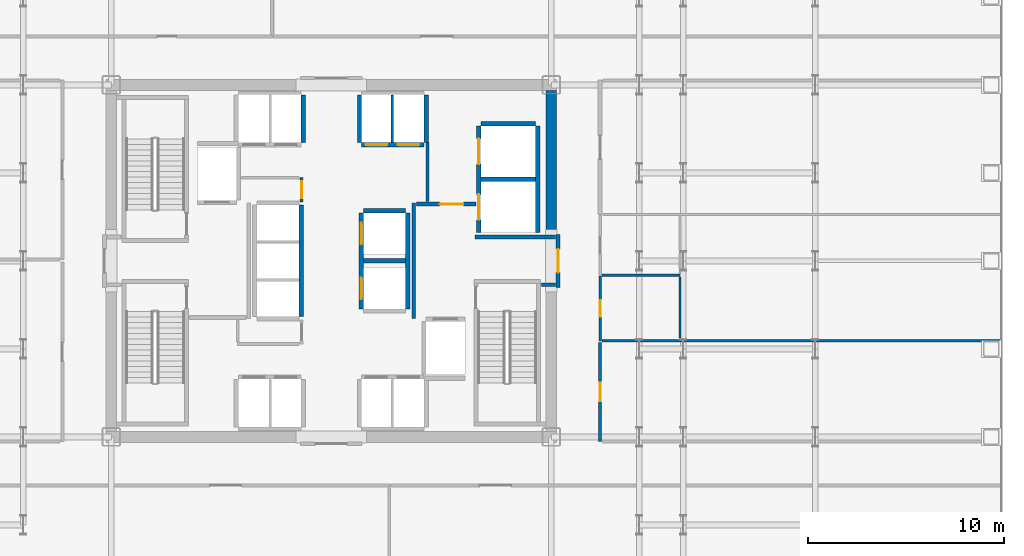
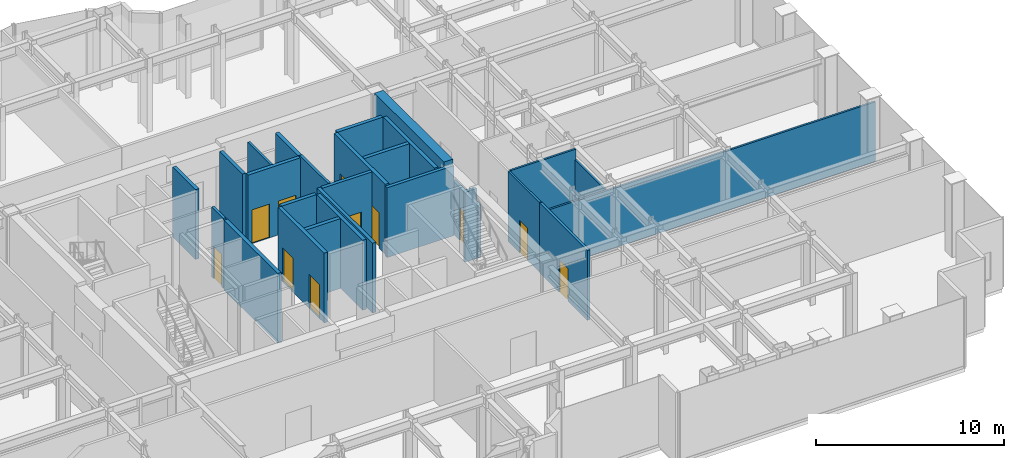
# One storey, part 22 of 27: 27 walls, 11 doors, 11 openings.
"""IFC4 building model written with IfcOpenShell, lengths in metres."""

from ifc_helpers import new_model, si_unit, direction, frame, frame_2d, origin, place, context, subcontext, project, spatial, rectangle, extrude, source, transform, mapped, material, layer, layer_set, type_object, element, fill, save


model = new_model("IFC4")

# Units and contexts
model_context = context("Model", 3, precision=1e-05, world=origin(), true_north=direction((0.0, 1.0)))
body_context = subcontext(model_context, "Body", "Model", "MODEL_VIEW")
ifc_project = project(units=[si_unit("LENGTHUNIT", "METRE"), si_unit("AREAUNIT", "SQUARE_METRE"), si_unit("VOLUMEUNIT", "CUBIC_METRE"), si_unit("PLANEANGLEUNIT", "RADIAN"), si_unit("MASSUNIT", "GRAM", prefix="KILO")], contexts=[model_context])

# Site, building, storey
site_placement = place(None, origin())
site = spatial("IfcSite", under=ifc_project, at=site_placement, CompositionType="ELEMENT")
building_placement = place(site_placement, origin())
building = spatial("IfcBuilding", under=site, at=building_placement, Name="Nefas-Gora Pilgrimage Tower", CompositionType="ELEMENT")
storey_placement = place(building_placement, frame((0.0, 0.0, 144.0)))
storey = spatial("IfcBuildingStorey", under=building, at=storey_placement, Name="L35", CompositionType="ELEMENT", Elevation=144.0)

# Wall
ifc_material_1 = material(Name="Concrete C60/75", Category="concrete")
ifc_layer_1 = layer(ifc_material_1, 0.550048828125)
ifc_layer_set_1 = layer_set([ifc_layer_1], Name="Concrete C60/75")
wall_type_1 = type_object("IfcWallType", Name="SW-CORE-550", PredefinedType="SHEAR", material=ifc_layer_set_1)
shared_shape_1 = source(origin(), body_context, "Body", "SweptSolid", [
    extrude(rectangle(XDim=7.375, YDim=0.550048828125, at=frame_2d((3.6875, 0.0))), origin(), (0.0, 0.0, 1.0), 4.800048828125),
])
wall_1_placement = place(storey_placement, frame((11.25, 1.35009765625, 0.0), z_axis=(0.0, 0.0, 1.0), x_axis=(0.0, 1.0, 0.0)))
element("IfcWall", 1, at=wall_1_placement, inside=storey, type_object=wall_type_1, Name="L35 Core Shear Wall E-North", PredefinedType="SHEAR", context=body_context, shape_type="MappedRepresentation", body=[
    mapped(shared_shape_1, transform((0.0, 0.0, 0.0), x_axis=(1.0, 0.0, 0.0), y_axis=(0.0, 1.0, 0.0), z_axis=(0.0, 0.0, 1.0), scale=1.0)),
])

# Wall, openings, doors
ifc_material_2 = material(Name="Concrete C40/50", Category="concrete")
ifc_layer_2 = layer(ifc_material_2, 0.219970703125)
ifc_layer_set_2 = layer_set([ifc_layer_2], Name="Concrete C40/50")
wall_type_2 = type_object("IfcWallType", Name="IW-SHAFT-220", PredefinedType="SOLIDWALL", material=ifc_layer_set_2)
shared_shape_2 = source(origin(), body_context, "Body", "SweptSolid", [
    extrude(rectangle(XDim=5.449951171875, YDim=0.219970703125, at=frame_2d((2.72509765625, 0.0))), origin(), (0.0, 0.0, 1.0), 4.534912109375),
])
wall_2_placement = place(storey_placement, frame((7.5400390625, 6.89990234375, 0.0), z_axis=(0.0, 0.0, 1.0), x_axis=(0.0, -1.0, 0.0)))
wall_2 = element("IfcWall", 2, at=wall_2_placement, inside=storey, type_object=wall_type_2, Name="L35 Hoistway Wall SL-01-02-W", PredefinedType="SOLIDWALL", context=body_context, shape_type="MappedRepresentation", body=[
    mapped(shared_shape_2, transform((0.0, 0.0, 0.0), x_axis=(1.0, 0.0, 0.0), y_axis=(0.0, 1.0, 0.0), z_axis=(0.0, 0.0, 1.0), scale=1.0)),
])
opening_1_placement = place(wall_2_placement, frame((3.5, 0.0, 0.0)))
opening_1 = element("IfcOpeningElement", 3, at=opening_1_placement, cuts=wall_2, Name="Opening LD-SV", PredefinedType="OPENING", context=body_context, shape_type="SweptSolid", body=[
    extrude(rectangle(XDim=1.300048828125, YDim=2.300048828125, at=frame_2d((0.64990234375, 1.14990234375))), frame((0.0, 0.119873046875, 0.0), z_axis=(0.0, -1.0, 0.0), x_axis=(1.0, 0.0, 0.0)), (0.0, 0.0, 1.0), 0.239990234375),
])
opening_2_placement = place(wall_2_placement, frame((0.64990234375, 0.0, 0.0)))
opening_2 = element("IfcOpeningElement", 4, at=opening_2_placement, cuts=wall_2, Name="Opening LD-SV", PredefinedType="OPENING", context=body_context, shape_type="SweptSolid", body=[
    extrude(rectangle(XDim=1.300048828125, YDim=2.300048828125, at=frame_2d((0.64990234375, 1.14990234375))), frame((0.0, 0.119873046875, 0.0), z_axis=(0.0, -1.0, 0.0), x_axis=(1.0, 0.0, 0.0)), (0.0, 0.0, 1.0), 0.239990234375),
])
ifc_material_3 = material(Name="Heavy goods sliding lift landing door")
door_type_1 = type_object("IfcDoorType", Name="DR-LIFT-SERV-1300", OperationType="SLIDING_TO_RIGHT", PredefinedType="DOOR", material=ifc_material_3)
shared_shape_3 = source(origin(), body_context, "Body", "SweptSolid", [
    extrude(rectangle(XDim=1.300048828125, YDim=2.300048828125, at=frame_2d((0.64990234375, 1.14990234375))), frame((0.0, 0.02490234375, 0.0), z_axis=(0.0, -1.0, 0.0), x_axis=(1.0, 0.0, 0.0)), (0.0, 0.0, 1.0), 0.050048828125),
])
door_1_placement = place(opening_1_placement, origin())
door_1 = element("IfcDoor", 5, at=door_1_placement, inside=storey, type_object=door_type_1, Name="L35 Sliding Lift Landing Door SL-01", OperationType="SLIDING_TO_RIGHT", OverallHeight=2.300048828125, OverallWidth=1.300048828125, PredefinedType="DOOR", context=body_context, shape_type="MappedRepresentation", body=[
    mapped(shared_shape_3, transform((0.0, 0.0, 0.0), x_axis=(1.0, 0.0, 0.0), y_axis=(0.0, 1.0, 0.0), z_axis=(0.0, 0.0, 1.0), scale=1.0)),
])
fill(opening_1, door_1)
door_2_placement = place(opening_2_placement, origin())
door_2 = element("IfcDoor", 6, at=door_2_placement, inside=storey, type_object=door_type_1, Name="L35 Sliding Lift Landing Door SL-02", OperationType="SLIDING_TO_RIGHT", OverallHeight=2.300048828125, OverallWidth=1.300048828125, PredefinedType="DOOR", context=body_context, shape_type="MappedRepresentation", body=[
    mapped(shared_shape_3, transform((0.0, 0.0, 0.0), x_axis=(1.0, 0.0, 0.0), y_axis=(0.0, 1.0, 0.0), z_axis=(0.0, 0.0, 1.0), scale=1.0)),
])
fill(opening_2, door_2)

# Walls
wall_3_placement = place(storey_placement, frame((10.56005859375, 1.449951171875, 0.0), z_axis=(0.0, 0.0, 1.0), x_axis=(0.0, 1.0, 0.0)))
element("IfcWall", 7, at=wall_3_placement, inside=storey, type_object=wall_type_2, Name="L35 Hoistway Wall SL-01-02-E", PredefinedType="SOLIDWALL", context=body_context, shape_type="MappedRepresentation", body=[
    mapped(shared_shape_2, transform((0.0, 0.0, 0.0), x_axis=(1.0, 0.0, 0.0), y_axis=(0.0, 1.0, 0.0), z_axis=(0.0, 0.0, 1.0), scale=1.0)),
])
shared_shape_4 = source(origin(), body_context, "Body", "SweptSolid", [
    extrude(rectangle(XDim=2.780029296875, YDim=0.219970703125, at=frame_2d((1.39013671875, 0.0))), origin(), (0.0, 0.0, 1.0), 4.534912109375),
])
for number, where, z_axis, x_axis, name in (
    (8, (7.659912109375, 4.175048828125, 0.0), (0.0, 0.0, 1.0), (1.0, 0.0, 0.0), "L35 Hoistway Wall SL-01-02-DIV"),
    (9, (10.43994140625, 7.010009765625, 0.0), (0.0, 0.0, 1.0), (-1.0, 0.0, 0.0), "L35 Hoistway Wall SL-02-N"),
):
    element("IfcWall", number, at=place(storey_placement, frame(where, z_axis=z_axis, x_axis=x_axis)), inside=storey, type_object=wall_type_2, Name=name, PredefinedType="SOLIDWALL", context=body_context, shape_type="MappedRepresentation", body=[
        mapped(shared_shape_4, transform((0.0, 0.0, 0.0), x_axis=(1.0, 0.0, 0.0), y_axis=(0.0, 1.0, 0.0), z_axis=(0.0, 0.0, 1.0), scale=1.0)),
    ])

# Wall, openings, doors
shared_shape_5 = source(origin(), body_context, "Body", "SweptSolid", [
    extrude(rectangle(XDim=3.199951171875, YDim=0.219970703125, at=frame_2d((1.60009765625, 0.0))), origin(), (0.0, 0.0, 1.0), 4.534912109375),
])
wall_4_placement = place(storey_placement, frame((1.550048828125, 5.93994140625, 0.0), z_axis=(0.0, 0.0, 1.0), x_axis=(1.0, 0.0, 0.0)))
wall_4 = element("IfcWall", 10, at=wall_4_placement, inside=storey, type_object=wall_type_2, Name="L35 Hoistway Wall PL1-E-S", PredefinedType="SOLIDWALL", context=body_context, shape_type="MappedRepresentation", body=[
    mapped(shared_shape_5, transform((0.0, 0.0, 0.0), x_axis=(1.0, 0.0, 0.0), y_axis=(0.0, 1.0, 0.0), z_axis=(0.0, 0.0, 1.0), scale=1.0)),
])
opening_3_placement = place(wall_4_placement, frame((0.22509765625, 0.0, 0.0)))
opening_3 = element("IfcOpeningElement", 11, at=opening_3_placement, cuts=wall_4, Name="Opening LD-01", PredefinedType="OPENING", context=body_context, shape_type="SweptSolid", body=[
    extrude(rectangle(XDim=1.10009765625, YDim=2.199951171875, at=frame_2d((0.550048828125, 1.10009765625))), frame((0.0, 0.119873046875, 0.0), z_axis=(0.0, -1.0, 0.0), x_axis=(1.0, 0.0, 0.0)), (0.0, 0.0, 1.0), 0.239990234375),
])
opening_4_placement = place(wall_4_placement, frame((1.85009765625, 0.0, 0.0)))
opening_4 = element("IfcOpeningElement", 12, at=opening_4_placement, cuts=wall_4, Name="Opening LD-01", PredefinedType="OPENING", context=body_context, shape_type="SweptSolid", body=[
    extrude(rectangle(XDim=1.10009765625, YDim=2.199951171875, at=frame_2d((0.550048828125, 1.10009765625))), frame((0.0, 0.119873046875, 0.0), z_axis=(0.0, -1.0, 0.0), x_axis=(1.0, 0.0, 0.0)), (0.0, 0.0, 1.0), 0.239990234375),
])
ifc_material_4 = material(Name="Brushed stainless sliding lift landing door")
door_type_2 = type_object("IfcDoorType", Name="DR-LIFT-PASS-1100", OperationType="DOUBLE_DOOR_SLIDING", PredefinedType="DOOR", material=ifc_material_4)
shared_shape_6 = source(origin(), body_context, "Body", "SweptSolid", [
    extrude(rectangle(XDim=1.10009765625, YDim=2.199951171875, at=frame_2d((0.550048828125, 1.10009765625))), frame((0.0, 0.02490234375, 0.0), z_axis=(0.0, -1.0, 0.0), x_axis=(1.0, 0.0, 0.0)), (0.0, 0.0, 1.0), 0.050048828125),
])
door_3_placement = place(opening_3_placement, origin())
door_3 = element("IfcDoor", 13, at=door_3_placement, inside=storey, type_object=door_type_2, Name="L35 Sliding Lift Landing Door PL1-03", OperationType="DOUBLE_DOOR_SLIDING", OverallHeight=2.199951171875, OverallWidth=1.10009765625, PredefinedType="DOOR", context=body_context, shape_type="MappedRepresentation", body=[
    mapped(shared_shape_6, transform((0.0, 0.0, 0.0), x_axis=(1.0, 0.0, 0.0), y_axis=(0.0, 1.0, 0.0), z_axis=(0.0, 0.0, 1.0), scale=1.0)),
])
fill(opening_3, door_3)
door_4_placement = place(opening_4_placement, origin())
door_4 = element("IfcDoor", 14, at=door_4_placement, inside=storey, type_object=door_type_2, Name="L35 Sliding Lift Landing Door PL1-04", OperationType="DOUBLE_DOOR_SLIDING", OverallHeight=2.199951171875, OverallWidth=1.10009765625, PredefinedType="DOOR", context=body_context, shape_type="MappedRepresentation", body=[
    mapped(shared_shape_6, transform((0.0, 0.0, 0.0), x_axis=(1.0, 0.0, 0.0), y_axis=(0.0, 1.0, 0.0), z_axis=(0.0, 0.0, 1.0), scale=1.0)),
])
fill(opening_4, door_4)

# Walls
shared_shape_7 = source(origin(), body_context, "Body", "SweptSolid", [
    extrude(rectangle(XDim=2.429931640625, YDim=0.219970703125, at=frame_2d((1.21484375, 0.0))), origin(), (0.0, 0.0, 1.0), 4.534912109375),
])
for number, where, z_axis, x_axis, name in (
    (15, (-1.43994140625, 6.06005859375, 0.0), (0.0, 0.0, 1.0), (0.0, 1.0, 0.0), "L35 Hoistway Wall PL1-W-E"),
    (16, (1.43994140625, 8.489990234375, 0.0), (0.0, 0.0, 1.0), (0.0, -1.0, 0.0), "L35 Hoistway Wall PL1-E-W"),
    (17, (4.860107421875, 6.06005859375, 0.0), (0.0, 0.0, 1.0), (0.0, 1.0, 0.0), "L35 Hoistway Wall PL1-E-E"),
):
    element("IfcWall", number, at=place(storey_placement, frame(where, z_axis=z_axis, x_axis=x_axis)), inside=storey, type_object=wall_type_2, Name=name, PredefinedType="SOLIDWALL", context=body_context, shape_type="MappedRepresentation", body=[
        mapped(shared_shape_7, transform((0.0, 0.0, 0.0), x_axis=(1.0, 0.0, 0.0), y_axis=(0.0, 1.0, 0.0), z_axis=(0.0, 0.0, 1.0), scale=1.0)),
    ])
ifc_material_5 = material(Name="Gypsum twin-stud partition")
ifc_layer_3 = layer(ifc_material_5, 0.139892578125)
ifc_layer_set_3 = layer_set([ifc_layer_3], Name="Gypsum twin-stud partition")
wall_type_3 = type_object("IfcWallType", Name="IW-UNIT-140", PredefinedType="PARTITIONING", material=ifc_layer_set_3)
shared_shape_8 = source(origin(), body_context, "Body", "SweptSolid", [
    extrude(rectangle(XDim=2.429931640625, YDim=0.139892578125, at=frame_2d((1.21484375, 0.0))), origin(), (0.0, 0.0, 1.0), 4.534912109375),
])
wall_5_placement = place(storey_placement, frame((3.125, 6.06005859375, 0.0), z_axis=(0.0, 0.0, 1.0), x_axis=(0.0, 1.0, 0.0)))
element("IfcWall", 18, at=wall_5_placement, inside=storey, type_object=wall_type_3, Name="L35 Hoistway Wall PL1-E-DIV", PredefinedType="PARTITIONING", context=body_context, shape_type="MappedRepresentation", body=[
    mapped(shared_shape_8, transform((0.0, 0.0, 0.0), x_axis=(1.0, 0.0, 0.0), y_axis=(0.0, 1.0, 0.0), z_axis=(0.0, 0.0, 1.0), scale=1.0)),
])
shared_shape_9 = source(origin(), body_context, "Body", "SweptSolid", [
    extrude(rectangle(XDim=5.7001953125, YDim=0.219970703125, at=frame_2d((2.85009765625, 0.0))), origin(), (0.0, 0.0, 1.0), 4.534912109375),
])
wall_6_placement = place(storey_placement, frame((-1.5400390625, -2.85009765625, 0.0), z_axis=(0.0, 0.0, 1.0), x_axis=(0.0, 1.0, 0.0)))
element("IfcWall", 19, at=wall_6_placement, inside=storey, type_object=wall_type_2, Name="L35 Hoistway Wall PL3-01-03-E", PredefinedType="SOLIDWALL", context=body_context, shape_type="MappedRepresentation", body=[
    mapped(shared_shape_9, transform((0.0, 0.0, 0.0), x_axis=(1.0, 0.0, 0.0), y_axis=(0.0, 1.0, 0.0), z_axis=(0.0, 0.0, 1.0), scale=1.0)),
])
shared_shape_10 = source(origin(), body_context, "Body", "SweptSolid", [
    extrude(rectangle(XDim=2.130126953125, YDim=0.219970703125, at=frame_2d((1.06494140625, 0.0))), origin(), (0.0, 0.0, 1.0), 4.534912109375),
])
for number, where, z_axis, x_axis, name in (
    (20, (1.659912109375, 0.0, 0.0), (0.0, 0.0, 1.0), (1.0, 0.0, 0.0), "L35 Hoistway Wall OBS-01-02-DIV"),
    (21, (3.7900390625, 2.56005859375, 0.0), (0.0, 0.0, 1.0), (-1.0, 0.0, 0.0), "L35 Hoistway Wall OBS-02-N"),
):
    element("IfcWall", number, at=place(storey_placement, frame(where, z_axis=z_axis, x_axis=x_axis)), inside=storey, type_object=wall_type_2, Name=name, PredefinedType="SOLIDWALL", context=body_context, shape_type="MappedRepresentation", body=[
        mapped(shared_shape_10, transform((0.0, 0.0, 0.0), x_axis=(1.0, 0.0, 0.0), y_axis=(0.0, 1.0, 0.0), z_axis=(0.0, 0.0, 1.0), scale=1.0)),
    ])

# Wall, openings, doors
shared_shape_11 = source(origin(), body_context, "Body", "SweptSolid", [
    extrude(rectangle(XDim=4.89990234375, YDim=0.219970703125, at=frame_2d((2.449951171875, 0.0))), origin(), (0.0, 0.0, 1.0), 4.534912109375),
])
wall_7_placement = place(storey_placement, frame((1.5400390625, 2.449951171875, 0.0), z_axis=(0.0, 0.0, 1.0), x_axis=(0.0, -1.0, 0.0)))
wall_7 = element("IfcWall", 22, at=wall_7_placement, inside=storey, type_object=wall_type_2, Name="L35 Hoistway Wall OBS-01-02-W", PredefinedType="SOLIDWALL", context=body_context, shape_type="MappedRepresentation", body=[
    mapped(shared_shape_11, transform((0.0, 0.0, 0.0), x_axis=(1.0, 0.0, 0.0), y_axis=(0.0, 1.0, 0.0), z_axis=(0.0, 0.0, 1.0), scale=1.0)),
])
opening_5_placement = place(wall_7_placement, frame((3.300048828125, 0.0, 0.0)))
opening_5 = element("IfcOpeningElement", 23, at=opening_5_placement, cuts=wall_7, Name="Opening LD-01", PredefinedType="OPENING", context=body_context, shape_type="SweptSolid", body=[
    extrude(rectangle(XDim=1.10009765625, YDim=2.199951171875, at=frame_2d((0.550048828125, 1.10009765625))), frame((0.0, 0.119873046875, 0.0), z_axis=(0.0, -1.0, 0.0), x_axis=(1.0, 0.0, 0.0)), (0.0, 0.0, 1.0), 0.239990234375),
])
opening_6_placement = place(wall_7_placement, frame((0.5, 0.0, 0.0)))
opening_6 = element("IfcOpeningElement", 24, at=opening_6_placement, cuts=wall_7, Name="Opening LD-01", PredefinedType="OPENING", context=body_context, shape_type="SweptSolid", body=[
    extrude(rectangle(XDim=1.10009765625, YDim=2.199951171875, at=frame_2d((0.550048828125, 1.10009765625))), frame((0.0, 0.119873046875, 0.0), z_axis=(0.0, -1.0, 0.0), x_axis=(1.0, 0.0, 0.0)), (0.0, 0.0, 1.0), 0.239990234375),
])
door_5_placement = place(opening_5_placement, origin())
door_5 = element("IfcDoor", 25, at=door_5_placement, inside=storey, type_object=door_type_2, Name="L35 Sliding Lift Landing Door OBS-01", OperationType="DOUBLE_DOOR_SLIDING", OverallHeight=2.199951171875, OverallWidth=1.10009765625, PredefinedType="DOOR", context=body_context, shape_type="MappedRepresentation", body=[
    mapped(shared_shape_6, transform((0.0, 0.0, 0.0), x_axis=(1.0, 0.0, 0.0), y_axis=(0.0, 1.0, 0.0), z_axis=(0.0, 0.0, 1.0), scale=1.0)),
])
fill(opening_5, door_5)
door_6_placement = place(opening_6_placement, origin())
door_6 = element("IfcDoor", 26, at=door_6_placement, inside=storey, type_object=door_type_2, Name="L35 Sliding Lift Landing Door OBS-02", OperationType="DOUBLE_DOOR_SLIDING", OverallHeight=2.199951171875, OverallWidth=1.10009765625, PredefinedType="DOOR", context=body_context, shape_type="MappedRepresentation", body=[
    mapped(shared_shape_6, transform((0.0, 0.0, 0.0), x_axis=(1.0, 0.0, 0.0), y_axis=(0.0, 1.0, 0.0), z_axis=(0.0, 0.0, 1.0), scale=1.0)),
])
fill(opening_6, door_6)

# Wall
wall_8_placement = place(storey_placement, frame((3.909912109375, -2.449951171875, 0.0), z_axis=(0.0, 0.0, 1.0), x_axis=(0.0, 1.0, 0.0)))
element("IfcWall", 27, at=wall_8_placement, inside=storey, type_object=wall_type_2, Name="L35 Hoistway Wall OBS-01-02-E", PredefinedType="SOLIDWALL", context=body_context, shape_type="MappedRepresentation", body=[
    mapped(shared_shape_11, transform((0.0, 0.0, 0.0), x_axis=(1.0, 0.0, 0.0), y_axis=(0.0, 1.0, 0.0), z_axis=(0.0, 0.0, 1.0), scale=1.0)),
])

# Wall, opening, door
ifc_material_6 = material(Name="Gypsum fire-rated shaftwall")
ifc_layer_4 = layer(ifc_material_6, 0.199951171875)
ifc_layer_set_4 = layer_set([ifc_layer_4], Name="Gypsum fire-rated shaftwall")
wall_type_4 = type_object("IfcWallType", Name="IW-FFLOB-200", PredefinedType="PARTITIONING", material=ifc_layer_set_4)
shared_shape_12 = source(origin(), body_context, "Body", "SweptSolid", [
    extrude(rectangle(XDim=2.7001953125, YDim=0.199951171875, at=frame_2d((1.35009765625, 0.0))), origin(), (0.0, 0.0, 1.0), 3.425048828125),
])
wall_9_placement = place(storey_placement, frame((11.60009765625, -1.35009765625, 0.0), z_axis=(0.0, 0.0, 1.0), x_axis=(0.0, 1.0, 0.0)))
wall_9 = element("IfcWall", 28, at=wall_9_placement, inside=storey, type_object=wall_type_4, Name="L35 FF Lobby East Portal Wall 8", PredefinedType="PARTITIONING", context=body_context, shape_type="MappedRepresentation", body=[
    mapped(shared_shape_12, transform((0.0, 0.0, 0.0), x_axis=(1.0, 0.0, 0.0), y_axis=(0.0, 1.0, 0.0), z_axis=(0.0, 0.0, 1.0), scale=1.0)),
])
opening_7_placement = place(wall_9_placement, frame((0.75, 0.0, 0.0)))
opening_7 = element("IfcOpeningElement", 29, at=opening_7_placement, cuts=wall_9, Name="Opening ID-FF1", PredefinedType="OPENING", context=body_context, shape_type="SweptSolid", body=[
    extrude(rectangle(XDim=1.199951171875, YDim=2.14990234375, at=frame_2d((0.60009765625, 1.074951171875))), frame((0.0, 0.10986328125, 0.0), z_axis=(0.0, -1.0, 0.0), x_axis=(1.0, 0.0, 0.0)), (0.0, 0.0, 1.0), 0.219970703125),
])
ifc_material_7 = material(Name="Smoke-sealed steel firefighting lobby door", Category="steel")
door_type_3 = type_object("IfcDoorType", Name="DR-INT-FFLOB-1200", OperationType="NOTDEFINED", PredefinedType="DOOR", material=ifc_material_7)
shared_shape_13 = source(origin(), body_context, "Body", "SweptSolid", [
    extrude(rectangle(XDim=1.199951171875, YDim=2.14990234375, at=frame_2d((0.60009765625, 1.074951171875))), frame((0.0, 0.02490234375, 0.0), z_axis=(0.0, -1.0, 0.0), x_axis=(1.0, 0.0, 0.0)), (0.0, 0.0, 1.0), 0.050048828125),
])
door_7_placement = place(opening_7_placement, origin())
door_7 = element("IfcDoor", 30, at=door_7_placement, inside=storey, type_object=door_type_3, Name="L35 FF Lobby East Portal Door 2", OperationType="SINGLE_SWING_RIGHT", OverallHeight=2.14990234375, OverallWidth=1.199951171875, PredefinedType="DOOR", context=body_context, shape_type="MappedRepresentation", body=[
    mapped(shared_shape_13, transform((0.0, 0.0, 0.0), x_axis=(1.0, 0.0, 0.0), y_axis=(0.0, 1.0, 0.0), z_axis=(0.0, 0.0, 1.0), scale=1.0)),
])
fill(opening_7, door_7)

# Walls
shared_shape_14 = source(origin(), body_context, "Body", "SweptSolid", [
    extrude(rectangle(XDim=5.89990234375, YDim=0.199951171875, at=frame_2d((2.949951171875, 0.0))), origin(), (0.0, 0.0, 1.0), 4.534912109375),
])
wall_10_placement = place(storey_placement, frame((4.219970703125, -2.949951171875, 0.0), z_axis=(0.0, 0.0, 1.0), x_axis=(0.0, 1.0, 0.0)))
element("IfcWall", 31, at=wall_10_placement, inside=storey, type_object=wall_type_4, Name="L35 FF Lobby East Inner Wall Wall 9", PredefinedType="PARTITIONING", context=body_context, shape_type="MappedRepresentation", body=[
    mapped(shared_shape_14, transform((0.0, 0.0, 0.0), x_axis=(1.0, 0.0, 0.0), y_axis=(0.0, 1.0, 0.0), z_axis=(0.0, 0.0, 1.0), scale=1.0)),
])
shared_shape_15 = source(origin(), body_context, "Body", "SweptSolid", [
    extrude(rectangle(XDim=0.719970703125, YDim=0.199951171875, at=frame_2d((0.35986328125, 0.0))), origin(), (0.0, 0.0, 1.0), 4.534912109375),
])
wall_11_placement = place(storey_placement, frame((10.739990234375, -1.219970703125, 0.0), z_axis=(0.0, 0.0, 1.0), x_axis=(1.0, 0.0, 0.0)))
element("IfcWall", 32, at=wall_11_placement, inside=storey, type_object=wall_type_4, Name="L35 FF Lobby East Throat S Wall 12", PredefinedType="PARTITIONING", context=body_context, shape_type="MappedRepresentation", body=[
    mapped(shared_shape_15, transform((0.0, 0.0, 0.0), x_axis=(1.0, 0.0, 0.0), y_axis=(0.0, 1.0, 0.0), z_axis=(0.0, 0.0, 1.0), scale=1.0)),
])

# Wall, opening, door
shared_shape_16 = source(origin(), body_context, "Body", "SweptSolid", [
    extrude(rectangle(XDim=3.039794921875, YDim=0.199951171875, at=frame_2d((1.52001953125, 0.0))), origin(), (0.0, 0.0, 1.0), 4.534912109375),
])
wall_12_placement = place(storey_placement, frame((4.360107421875, 2.89990234375, 0.0), z_axis=(0.0, 0.0, 1.0), x_axis=(1.0, 0.0, 0.0)))
wall_12 = element("IfcWall", 33, at=wall_12_placement, inside=storey, type_object=wall_type_4, Name="L35 FF Lobby East North Wall Wall 10", PredefinedType="PARTITIONING", context=body_context, shape_type="MappedRepresentation", body=[
    mapped(shared_shape_16, transform((0.0, 0.0, 0.0), x_axis=(1.0, 0.0, 0.0), y_axis=(0.0, 1.0, 0.0), z_axis=(0.0, 0.0, 1.0), scale=1.0)),
])
opening_8_placement = place(wall_12_placement, frame((1.18994140625, 0.0, 0.0)))
opening_8 = element("IfcOpeningElement", 34, at=opening_8_placement, cuts=wall_12, Name="Opening ID-PL1", PredefinedType="OPENING", context=body_context, shape_type="SweptSolid", body=[
    extrude(rectangle(XDim=1.199951171875, YDim=2.14990234375, at=frame_2d((0.60009765625, 1.074951171875))), frame((0.0, 0.10986328125, 0.0), z_axis=(0.0, -1.0, 0.0), x_axis=(1.0, 0.0, 0.0)), (0.0, 0.0, 1.0), 0.219970703125),
])
ifc_material_8 = material(Name="Heavy-duty steel plant room fire door", Category="steel")
door_type_4 = type_object("IfcDoorType", Name="DR-INT-PLANT-1200", OperationType="NOTDEFINED", PredefinedType="DOOR", material=ifc_material_8)
door_8_placement = place(opening_8_placement, origin())
door_8 = element("IfcDoor", 35, at=door_8_placement, inside=storey, type_object=door_type_4, Name="L35 Service Lift Lobby Door Door 3", OperationType="SINGLE_SWING_LEFT", OverallHeight=2.14990234375, OverallWidth=1.199951171875, PredefinedType="DOOR", context=body_context, shape_type="MappedRepresentation", body=[
    mapped(shared_shape_13, transform((0.0, 0.0, 0.0), x_axis=(1.0, 0.0, 0.0), y_axis=(0.0, 1.0, 0.0), z_axis=(0.0, 0.0, 1.0), scale=1.0)),
])
fill(opening_8, door_8)

# Walls
shared_shape_17 = source(origin(), body_context, "Body", "SweptSolid", [
    extrude(rectangle(XDim=4.10986328125, YDim=0.199951171875, at=frame_2d((2.054931640625, 0.0))), origin(), (0.0, 0.0, 1.0), 4.534912109375),
])
wall_13_placement = place(storey_placement, frame((7.35009765625, 1.219970703125, 0.0), z_axis=(0.0, 0.0, 1.0), x_axis=(1.0, 0.0, 0.0)))
element("IfcWall", 36, at=wall_13_placement, inside=storey, type_object=wall_type_4, Name="L35 FF Lobby East Throat N Wall 11", PredefinedType="PARTITIONING", context=body_context, shape_type="MappedRepresentation", body=[
    mapped(shared_shape_17, transform((0.0, 0.0, 0.0), x_axis=(1.0, 0.0, 0.0), y_axis=(0.0, 1.0, 0.0), z_axis=(0.0, 0.0, 1.0), scale=1.0)),
])
ifc_material_9 = material(Name="Gypsum acoustic stud partition")
ifc_layer_5 = layer(ifc_material_9, 0.159912109375)
ifc_layer_set_5 = layer_set([ifc_layer_5], Name="Gypsum acoustic stud partition")
wall_type_5 = type_object("IfcWallType", Name="IW-CORR-160", PredefinedType="PARTITIONING", material=ifc_layer_set_5)
shared_shape_18 = source(origin(), body_context, "Body", "SweptSolid", [
    extrude(rectangle(XDim=3.014892578125, YDim=0.159912109375, at=frame_2d((1.50732421875, 0.0))), origin(), (0.0, 0.0, 1.0), 4.534912109375),
])
wall_14_placement = place(storey_placement, frame((4.919921875, 3.0400390625, 0.0), z_axis=(0.0, 0.0, 1.0), x_axis=(0.0, 1.0, 0.0)))
element("IfcWall", 37, at=wall_14_placement, inside=storey, type_object=wall_type_5, Name="L35 Service Lift Lobby West Wall Wall 15", PredefinedType="PARTITIONING", context=body_context, shape_type="MappedRepresentation", body=[
    mapped(shared_shape_18, transform((0.0, 0.0, 0.0), x_axis=(1.0, 0.0, 0.0), y_axis=(0.0, 1.0, 0.0), z_axis=(0.0, 0.0, 1.0), scale=1.0)),
])

# Wall, opening, door
shared_shape_19 = source(origin(), body_context, "Body", "SweptSolid", [
    extrude(rectangle(XDim=1.25, YDim=0.159912109375, at=frame_2d((0.625, 0.0))), origin(), (0.0, 0.0, 1.0), 4.534912109375),
])
wall_15_placement = place(storey_placement, frame((-1.52001953125, 3.010009765625, 0.0), z_axis=(0.0, 0.0, 1.0), x_axis=(0.0, 1.0, 0.0)))
wall_15 = element("IfcWall", 38, at=wall_15_placement, inside=storey, type_object=wall_type_5, Name="L35 Housekeeping and Linen Store Wall 16", PredefinedType="PARTITIONING", context=body_context, shape_type="MappedRepresentation", body=[
    mapped(shared_shape_19, transform((0.0, 0.0, 0.0), x_axis=(1.0, 0.0, 0.0), y_axis=(0.0, 1.0, 0.0), z_axis=(0.0, 0.0, 1.0), scale=1.0)),
])
opening_9_placement = place(wall_15_placement, frame((0.199951171875, 0.0, 0.0)))
opening_9 = element("IfcOpeningElement", 39, at=opening_9_placement, cuts=wall_15, Name="Opening ID-BT1", PredefinedType="OPENING", context=body_context, shape_type="SweptSolid", body=[
    extrude(rectangle(XDim=0.85009765625, YDim=2.10009765625, at=frame_2d((0.425048828125, 1.050048828125))), frame((0.0, 0.08984375, 0.0), z_axis=(0.0, -1.0, 0.0), x_axis=(1.0, 0.0, 0.0)), (0.0, 0.0, 1.0), 0.179931640625),
])
ifc_material_10 = material(Name="Moisture-resistant fire-rated timber door", Category="wood")
door_type_5 = type_object("IfcDoorType", Name="DR-INT-BATH-850", OperationType="NOTDEFINED", PredefinedType="DOOR", material=ifc_material_10)
shared_shape_20 = source(origin(), body_context, "Body", "SweptSolid", [
    extrude(rectangle(XDim=0.85009765625, YDim=2.10009765625, at=frame_2d((0.425048828125, 1.050048828125))), frame((0.0, 0.02490234375, 0.0), z_axis=(0.0, -1.0, 0.0), x_axis=(1.0, 0.0, 0.0)), (0.0, 0.0, 1.0), 0.050048828125),
])
door_9_placement = place(opening_9_placement, origin())
door_9 = element("IfcDoor", 40, at=door_9_placement, inside=storey, type_object=door_type_5, Name="L35 Housekeeping and Linen Store Door 6", OperationType="SINGLE_SWING_RIGHT", OverallHeight=2.10009765625, OverallWidth=0.85009765625, PredefinedType="DOOR", context=body_context, shape_type="MappedRepresentation", body=[
    mapped(shared_shape_20, transform((0.0, 0.0, 0.0), x_axis=(1.0, 0.0, 0.0), y_axis=(0.0, 1.0, 0.0), z_axis=(0.0, 0.0, 1.0), scale=1.0)),
])
fill(opening_9, door_9)

# Wall
ifc_material_11 = material(Name="Moisture-resistant fire-rated gypsum partition")
ifc_layer_6 = layer(ifc_material_11, 0.1201171875)
ifc_layer_set_6 = layer_set([ifc_layer_6], Name="Moisture-resistant fire-rated gypsum partition")
wall_type_6 = type_object("IfcWallType", Name="IW-WET-120", PredefinedType="PLUMBINGWALL", material=ifc_layer_set_6)
shared_shape_21 = source(origin(), body_context, "Body", "SweptSolid", [
    extrude(rectangle(XDim=3.989990234375, YDim=0.1201171875, at=frame_2d((1.9951171875, 0.0))), origin(), (0.0, 0.0, 1.0), 4.534912109375),
])
wall_16_placement = place(storey_placement, frame((13.85009765625, -0.72998046875, 0.0), z_axis=(0.0, 0.0, 1.0), x_axis=(1.0, 0.0, 0.0)))
element("IfcWall", 41, at=wall_16_placement, inside=storey, type_object=wall_type_6, Name="L35 Sky Lobby Accessible WC Partition Wall 36", PredefinedType="PLUMBINGWALL", context=body_context, shape_type="MappedRepresentation", body=[
    mapped(shared_shape_21, transform((0.0, 0.0, 0.0), x_axis=(1.0, 0.0, 0.0), y_axis=(0.0, 1.0, 0.0), z_axis=(0.0, 0.0, 1.0), scale=1.0)),
])

# Wall, opening, door
shared_shape_22 = source(origin(), body_context, "Body", "SweptSolid", [
    extrude(rectangle(XDim=3.31005859375, YDim=0.1201171875, at=frame_2d((1.655029296875, 0.0))), origin(), (0.0, 0.0, 1.0), 4.534912109375),
])
wall_17_placement = place(storey_placement, frame((13.75, -4.090087890625, 0.0), z_axis=(0.0, 0.0, 1.0), x_axis=(0.0, 1.0, 0.0)))
wall_17 = element("IfcWall", 42, at=wall_17_placement, inside=storey, type_object=wall_type_6, Name="L35 Sky Lobby Public Restroom WC Partition Wall 38", PredefinedType="PLUMBINGWALL", context=body_context, shape_type="MappedRepresentation", body=[
    mapped(shared_shape_22, transform((0.0, 0.0, 0.0), x_axis=(1.0, 0.0, 0.0), y_axis=(0.0, 1.0, 0.0), z_axis=(0.0, 0.0, 1.0), scale=1.0)),
])
opening_10_placement = place(wall_17_placement, frame((1.22998046875, 0.0, 0.0)))
opening_10 = element("IfcOpeningElement", 43, at=opening_10_placement, cuts=wall_17, Name="Opening ID-BT1", PredefinedType="OPENING", context=body_context, shape_type="SweptSolid", body=[
    extrude(rectangle(XDim=0.85009765625, YDim=2.10009765625, at=frame_2d((0.425048828125, 1.050048828125))), frame((0.0, 0.070068359375, 0.0), z_axis=(0.0, -1.0, 0.0), x_axis=(1.0, 0.0, 0.0)), (0.0, 0.0, 1.0), 0.14013671875),
])
door_10_placement = place(opening_10_placement, origin())
door_10 = element("IfcDoor", 44, at=door_10_placement, inside=storey, type_object=door_type_5, Name="L35 Sky Lobby Public Restroom WC Door 16", OperationType="SINGLE_SWING_LEFT", OverallHeight=2.10009765625, OverallWidth=0.85009765625, PredefinedType="DOOR", context=body_context, shape_type="MappedRepresentation", body=[
    mapped(shared_shape_20, transform((0.0, 0.0, 0.0), x_axis=(1.0, 0.0, 0.0), y_axis=(0.0, 1.0, 0.0), z_axis=(0.0, 0.0, 1.0), scale=1.0)),
])
fill(opening_10, door_10)

# Walls
shared_shape_23 = source(origin(), body_context, "Body", "SweptSolid", [
    extrude(rectangle(XDim=20.43994140625, YDim=0.1201171875, at=frame_2d((10.219970703125, 0.0))), origin(), (0.0, 0.0, 1.0), 3.875),
])
wall_18_placement = place(storey_placement, frame((13.85009765625, -4.080078125, 0.0), z_axis=(0.0, 0.0, 1.0), x_axis=(1.0, 0.0, 0.0)))
element("IfcWall", 45, at=wall_18_placement, inside=storey, type_object=wall_type_6, Name="L35 Sky Lobby Public Restroom WC Partition Wall 39", PredefinedType="PLUMBINGWALL", context=body_context, shape_type="MappedRepresentation", body=[
    mapped(shared_shape_23, transform((0.0, 0.0, 0.0), x_axis=(1.0, 0.0, 0.0), y_axis=(0.0, 1.0, 0.0), z_axis=(0.0, 0.0, 1.0), scale=1.0)),
])
shared_shape_24 = source(origin(), body_context, "Body", "SweptSolid", [
    extrude(rectangle(XDim=3.14990234375, YDim=0.1201171875, at=frame_2d((1.574951171875, 0.0))), origin(), (0.0, 0.0, 1.0), 3.875),
])
wall_19_placement = place(storey_placement, frame((17.830078125, -3.97998046875, 0.0), z_axis=(0.0, 0.0, 1.0), x_axis=(0.0, 1.0, 0.0)))
element("IfcWall", 46, at=wall_19_placement, inside=storey, type_object=wall_type_6, Name="L35 Sky Lobby Public Restroom WC Partition Wall 40", PredefinedType="PLUMBINGWALL", context=body_context, shape_type="MappedRepresentation", body=[
    mapped(shared_shape_24, transform((0.0, 0.0, 0.0), x_axis=(1.0, 0.0, 0.0), y_axis=(0.0, 1.0, 0.0), z_axis=(0.0, 0.0, 1.0), scale=1.0)),
])

# Wall, opening, door
shared_shape_25 = source(origin(), body_context, "Body", "SweptSolid", [
    extrude(rectangle(XDim=5.080078125, YDim=0.159912109375, at=frame_2d((2.5400390625, 0.0))), origin(), (0.0, 0.0, 1.0), 4.534912109375),
])
wall_20_placement = place(storey_placement, frame((13.75, -9.239990234375, 0.0), z_axis=(0.0, 0.0, 1.0), x_axis=(0.0, 1.0, 0.0)))
wall_20 = element("IfcWall", 47, at=wall_20_placement, inside=storey, type_object=wall_type_5, Name="L35 Meditation Gallery Lounge Partition Wall 41", PredefinedType="PARTITIONING", context=body_context, shape_type="MappedRepresentation", body=[
    mapped(shared_shape_25, transform((0.0, 0.0, 0.0), x_axis=(1.0, 0.0, 0.0), y_axis=(0.0, 1.0, 0.0), z_axis=(0.0, 0.0, 1.0), scale=1.0)),
])
opening_11_placement = place(wall_20_placement, frame((2.06494140625, 0.0, 0.0)))
opening_11 = element("IfcOpeningElement", 48, at=opening_11_placement, cuts=wall_20, Name="Opening ID-GR1", PredefinedType="OPENING", context=body_context, shape_type="SweptSolid", body=[
    extrude(rectangle(XDim=0.949951171875, YDim=2.10009765625, at=frame_2d((0.47509765625, 1.050048828125))), frame((0.0, 0.08984375, 0.0), z_axis=(0.0, -1.0, 0.0), x_axis=(1.0, 0.0, 0.0)), (0.0, 0.0, 1.0), 0.179931640625),
])
ifc_material_12 = material(Name="Solid core oak fire-rated guest entrance door")
door_type_6 = type_object("IfcDoorType", Name="DR-INT-GUEST-950", OperationType="NOTDEFINED", PredefinedType="DOOR", material=ifc_material_12)
shared_shape_26 = source(origin(), body_context, "Body", "SweptSolid", [
    extrude(rectangle(XDim=0.949951171875, YDim=2.10009765625, at=frame_2d((0.47509765625, 1.050048828125))), frame((0.0, 0.02490234375, 0.0), z_axis=(0.0, -1.0, 0.0), x_axis=(1.0, 0.0, 0.0)), (0.0, 0.0, 1.0), 0.050048828125),
])
door_11_placement = place(opening_11_placement, origin())
door_11 = element("IfcDoor", 49, at=door_11_placement, inside=storey, type_object=door_type_6, Name="L35 Meditation Gallery Lounge Door 17", OperationType="SINGLE_SWING_RIGHT", OverallHeight=2.10009765625, OverallWidth=0.949951171875, PredefinedType="DOOR", context=body_context, shape_type="MappedRepresentation", body=[
    mapped(shared_shape_26, transform((0.0, 0.0, 0.0), x_axis=(1.0, 0.0, 0.0), y_axis=(0.0, 1.0, 0.0), z_axis=(0.0, 0.0, 1.0), scale=1.0)),
])
fill(opening_11, door_11)

save(model, "model.ifc")
